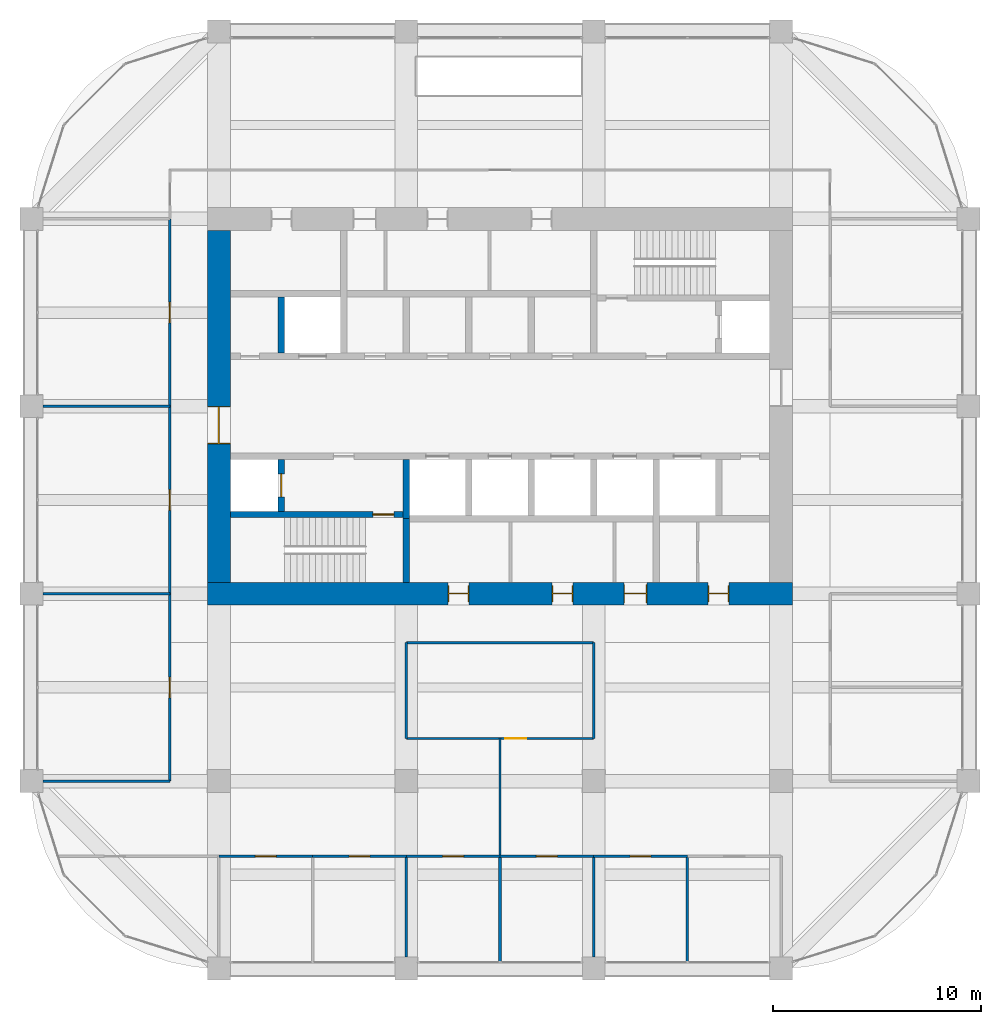
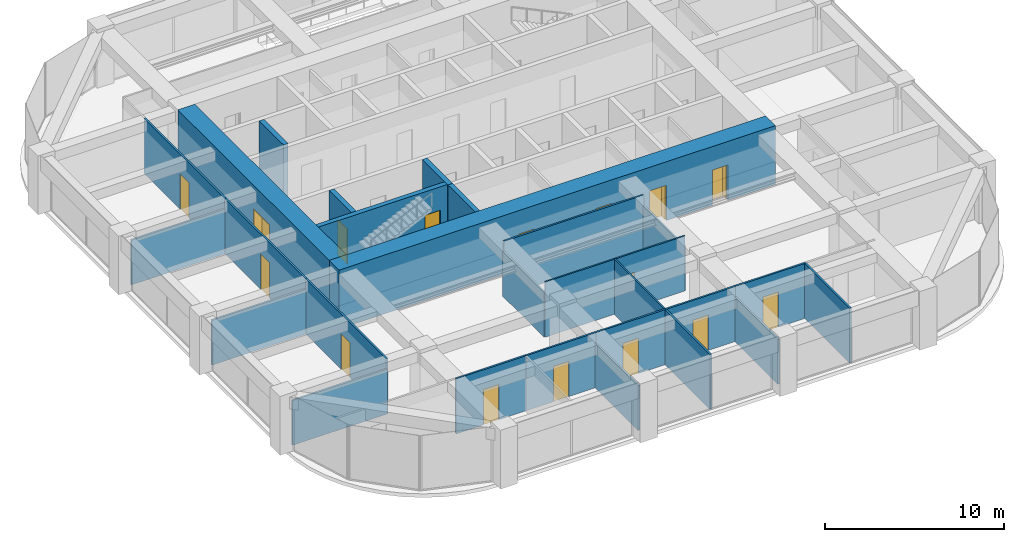
# One storey, part 41 of 44: 27 walls, 16 doors, 16 openings.
"""IFC4 building model written with IfcOpenShell, lengths in metres."""

from ifc_helpers import new_model, si_unit, direction, frame, frame_2d, origin, place, context, subcontext, project, spatial, rectangle, extrude, material, layer, layer_set, type_object, element, fill, save


model = new_model("IFC4")

# Units and contexts
model_context = context("Model", 3, precision=1e-05, world=origin(), true_north=direction((0.0, 1.0)))
body_context = subcontext(model_context, "Body", "Model", "MODEL_VIEW")
ifc_project = project(units=[si_unit("LENGTHUNIT", "METRE"), si_unit("AREAUNIT", "SQUARE_METRE"), si_unit("VOLUMEUNIT", "CUBIC_METRE"), si_unit("PLANEANGLEUNIT", "RADIAN"), si_unit("MASSUNIT", "GRAM", prefix="KILO")], contexts=[model_context])

# Site, building, storey
site_placement = place(None, origin())
site = spatial("IfcSite", under=ifc_project, at=site_placement, CompositionType="ELEMENT")
building_placement = place(site_placement, origin())
building = spatial("IfcBuilding", under=site, at=building_placement, Name="Zorevar Civic Tower", CompositionType="ELEMENT")
storey_placement = place(building_placement, frame((0.0, 0.0, 295.39990234375)))
storey = spatial("IfcBuildingStorey", under=building, at=storey_placement, Name="L72", CompositionType="ELEMENT", Elevation=295.39990234375)

# Wall, openings, doors
ifc_material_1 = material(Name="Concrete C50/60", Category="concrete")
ifc_layer_1 = layer(ifc_material_1, 1.10009765625)
ifc_layer_set_1 = layer_set([ifc_layer_1], Name="Core wall 1100")
wall_type_1 = type_object("IfcWallType", Name="Core wall 1100", PredefinedType="SHEAR", material=ifc_layer_set_1)
wall_1_placement = place(storey_placement, frame((17.449951171875, 18.0, 0.0), z_axis=(0.0, 0.0, 1.0), x_axis=(1.0, 0.0, 0.0)))
wall_1 = element("IfcWall", 1, at=wall_1_placement, inside=storey, type_object=wall_type_1, Name="Core wall S L72", PredefinedType="SHEAR", context=body_context, shape_type="SweptSolid", body=[
    extrude(rectangle(XDim=28.10009765625, YDim=1.10009765625, at=frame_2d((14.050048828125, 0.0))), origin(), (0.0, 0.0, 1.0), 4.0),
])
opening_1_placement = place(wall_1_placement, frame((11.550048828125, 0.0, 0.0)))
opening_1 = element("IfcOpeningElement", 2, at=opening_1_placement, cuts=wall_1, Name="Opening L72.03", PredefinedType="OPENING", context=body_context, shape_type="SweptSolid", body=[
    extrude(rectangle(XDim=1.0, YDim=2.39990234375, at=frame_2d((0.5, 1.199951171875))), frame((0.0, 0.56005859375, 0.0), z_axis=(0.0, -1.0, 0.0), x_axis=(1.0, 0.0, 0.0)), (0.0, 0.0, 1.0), 1.1201171875),
])
opening_2_placement = place(wall_1_placement, frame((16.550048828125, 0.0, 0.0)))
opening_2 = element("IfcOpeningElement", 3, at=opening_2_placement, cuts=wall_1, Name="Opening L72.04", PredefinedType="OPENING", context=body_context, shape_type="SweptSolid", body=[
    extrude(rectangle(XDim=1.0, YDim=2.39990234375, at=frame_2d((0.5, 1.199951171875))), frame((0.0, 0.56005859375, 0.0), z_axis=(0.0, -1.0, 0.0), x_axis=(1.0, 0.0, 0.0)), (0.0, 0.0, 1.0), 1.1201171875),
])
opening_3_placement = place(wall_1_placement, frame((20.0, 0.0, 0.0)))
opening_3 = element("IfcOpeningElement", 4, at=opening_3_placement, cuts=wall_1, Name="Opening L72.05", PredefinedType="OPENING", context=body_context, shape_type="SweptSolid", body=[
    extrude(rectangle(XDim=1.10009765625, YDim=2.39990234375, at=frame_2d((0.550048828125, 1.199951171875))), frame((0.0, 0.56005859375, 0.0), z_axis=(0.0, -1.0, 0.0), x_axis=(1.0, 0.0, 0.0)), (0.0, 0.0, 1.0), 1.1201171875),
])
opening_4_placement = place(wall_1_placement, frame((24.050048828125, 0.0, 0.0)))
opening_4 = element("IfcOpeningElement", 5, at=opening_4_placement, cuts=wall_1, Name="Opening L72.06", PredefinedType="OPENING", context=body_context, shape_type="SweptSolid", body=[
    extrude(rectangle(XDim=1.0, YDim=2.39990234375, at=frame_2d((0.5, 1.199951171875))), frame((0.0, 0.56005859375, 0.0), z_axis=(0.0, -1.0, 0.0), x_axis=(1.0, 0.0, 0.0)), (0.0, 0.0, 1.0), 1.1201171875),
])
ifc_material_2 = material(Name="Timber door set", Category="wood")
door_type_1 = type_object("IfcDoorType", Name="Door D1 1000x2400", OperationType="SINGLE_SWING_LEFT", PredefinedType="DOOR", material=ifc_material_2)
door_1_placement = place(opening_1_placement, origin())
door_1 = element("IfcDoor", 6, at=door_1_placement, inside=storey, type_object=door_type_1, Name="Door L72 02", OperationType="SINGLE_SWING_LEFT", OverallHeight=2.39990234375, OverallWidth=1.0, PredefinedType="DOOR", context=body_context, shape_type="SweptSolid", body=[
    extrude(rectangle(XDim=1.0, YDim=2.39990234375, at=frame_2d((0.5, 1.199951171875))), frame((0.0, 0.02490234375, 0.0), z_axis=(0.0, -1.0, 0.0), x_axis=(1.0, 0.0, 0.0)), (0.0, 0.0, 1.0), 0.050048828125),
    extrude(rectangle(XDim=0.04, YDim=2.39990234375, at=frame_2d((0.02001953125, 1.199951171875))), frame((0.0, 0.39990234375, 0.0), z_axis=(0.0, -1.0, 0.0), x_axis=(1.0, 0.0, 0.0)), (0.0, 0.0, 1.0), 0.800048828125),
    extrude(rectangle(XDim=0.04, YDim=2.39990234375, at=frame_2d((0.97998046875, 1.199951171875))), frame((0.0, 0.39990234375, 0.0), z_axis=(0.0, -1.0, 0.0), x_axis=(1.0, 0.0, 0.0)), (0.0, 0.0, 1.0), 0.800048828125),
    extrude(rectangle(XDim=1.0, YDim=0.04, at=frame_2d((0.5, 2.3798828125))), frame((0.0, 0.39990234375, 0.0), z_axis=(0.0, -1.0, 0.0), x_axis=(1.0, 0.0, 0.0)), (0.0, 0.0, 1.0), 0.800048828125),
])
fill(opening_1, door_1)
door_2_placement = place(opening_2_placement, origin())
door_2 = element("IfcDoor", 7, at=door_2_placement, inside=storey, type_object=door_type_1, Name="Door L72 03", OperationType="SINGLE_SWING_RIGHT", OverallHeight=2.39990234375, OverallWidth=1.0, PredefinedType="DOOR", context=body_context, shape_type="SweptSolid", body=[
    extrude(rectangle(XDim=1.0, YDim=2.39990234375, at=frame_2d((0.5, 1.199951171875))), frame((0.0, 0.02490234375, 0.0), z_axis=(0.0, -1.0, 0.0), x_axis=(1.0, 0.0, 0.0)), (0.0, 0.0, 1.0), 0.050048828125),
    extrude(rectangle(XDim=0.04, YDim=2.39990234375, at=frame_2d((0.02001953125, 1.199951171875))), frame((0.0, 0.39990234375, 0.0), z_axis=(0.0, -1.0, 0.0), x_axis=(1.0, 0.0, 0.0)), (0.0, 0.0, 1.0), 0.800048828125),
    extrude(rectangle(XDim=0.04, YDim=2.39990234375, at=frame_2d((0.97998046875, 1.199951171875))), frame((0.0, 0.39990234375, 0.0), z_axis=(0.0, -1.0, 0.0), x_axis=(1.0, 0.0, 0.0)), (0.0, 0.0, 1.0), 0.800048828125),
    extrude(rectangle(XDim=1.0, YDim=0.04, at=frame_2d((0.5, 2.3798828125))), frame((0.0, 0.39990234375, 0.0), z_axis=(0.0, -1.0, 0.0), x_axis=(1.0, 0.0, 0.0)), (0.0, 0.0, 1.0), 0.800048828125),
])
fill(opening_2, door_2)
door_3_placement = place(opening_4_placement, origin())
door_3 = element("IfcDoor", 8, at=door_3_placement, inside=storey, type_object=door_type_1, Name="Door L72 05", OperationType="SINGLE_SWING_RIGHT", OverallHeight=2.39990234375, OverallWidth=1.0, PredefinedType="DOOR", context=body_context, shape_type="SweptSolid", body=[
    extrude(rectangle(XDim=1.0, YDim=2.39990234375, at=frame_2d((0.5, 1.199951171875))), frame((0.0, 0.02490234375, 0.0), z_axis=(0.0, -1.0, 0.0), x_axis=(1.0, 0.0, 0.0)), (0.0, 0.0, 1.0), 0.050048828125),
    extrude(rectangle(XDim=0.04, YDim=2.39990234375, at=frame_2d((0.02001953125, 1.199951171875))), frame((0.0, 0.39990234375, 0.0), z_axis=(0.0, -1.0, 0.0), x_axis=(1.0, 0.0, 0.0)), (0.0, 0.0, 1.0), 0.800048828125),
    extrude(rectangle(XDim=0.04, YDim=2.39990234375, at=frame_2d((0.97998046875, 1.199951171875))), frame((0.0, 0.39990234375, 0.0), z_axis=(0.0, -1.0, 0.0), x_axis=(1.0, 0.0, 0.0)), (0.0, 0.0, 1.0), 0.800048828125),
    extrude(rectangle(XDim=1.0, YDim=0.04, at=frame_2d((0.5, 2.3798828125))), frame((0.0, 0.39990234375, 0.0), z_axis=(0.0, -1.0, 0.0), x_axis=(1.0, 0.0, 0.0)), (0.0, 0.0, 1.0), 0.800048828125),
])
fill(opening_4, door_3)
ifc_material_3 = material(Name="Timber door set", Category="wood")
door_type_2 = type_object("IfcDoorType", Name="Door D5 1100x2400", OperationType="SINGLE_SWING_LEFT", PredefinedType="DOOR", material=ifc_material_3)
door_4_placement = place(opening_3_placement, origin())
door_4 = element("IfcDoor", 9, at=door_4_placement, inside=storey, type_object=door_type_2, Name="Door L72 04", OperationType="SINGLE_SWING_RIGHT", OverallHeight=2.39990234375, OverallWidth=1.10009765625, PredefinedType="DOOR", context=body_context, shape_type="SweptSolid", body=[
    extrude(rectangle(XDim=1.10009765625, YDim=2.39990234375, at=frame_2d((0.550048828125, 1.199951171875))), frame((0.0, 0.02490234375, 0.0), z_axis=(0.0, -1.0, 0.0), x_axis=(1.0, 0.0, 0.0)), (0.0, 0.0, 1.0), 0.050048828125),
    extrude(rectangle(XDim=0.04, YDim=2.39990234375, at=frame_2d((0.02001953125, 1.199951171875))), frame((0.0, 0.43994140625, 0.0), z_axis=(0.0, -1.0, 0.0), x_axis=(1.0, 0.0, 0.0)), (0.0, 0.0, 1.0), 0.880126953125),
    extrude(rectangle(XDim=0.04, YDim=2.39990234375, at=frame_2d((1.080078125, 1.199951171875))), frame((0.0, 0.43994140625, 0.0), z_axis=(0.0, -1.0, 0.0), x_axis=(1.0, 0.0, 0.0)), (0.0, 0.0, 1.0), 0.880126953125),
    extrude(rectangle(XDim=1.10009765625, YDim=0.04, at=frame_2d((0.550048828125, 2.3798828125))), frame((0.0, 0.43994140625, 0.0), z_axis=(0.0, -1.0, 0.0), x_axis=(1.0, 0.0, 0.0)), (0.0, 0.0, 1.0), 0.880126953125),
])
fill(opening_3, door_4)

# Wall, opening, door
wall_2_placement = place(storey_placement, frame((18.0, 35.449951171875, 0.0), z_axis=(0.0, 0.0, 1.0), x_axis=(0.0, -1.0, 0.0)))
wall_2 = element("IfcWall", 10, at=wall_2_placement, inside=storey, type_object=wall_type_1, Name="Core wall W L72", PredefinedType="SHEAR", context=body_context, shape_type="SweptSolid", body=[
    extrude(rectangle(XDim=16.89990234375, YDim=1.10009765625, at=frame_2d((8.449951171875, 0.0))), origin(), (0.0, 0.0, 1.0), 4.0),
])
opening_5_placement = place(wall_2_placement, frame((8.449951171875, 0.0, 0.0)))
opening_5 = element("IfcOpeningElement", 11, at=opening_5_placement, cuts=wall_2, Name="Opening L72.01", PredefinedType="OPENING", context=body_context, shape_type="SweptSolid", body=[
    extrude(rectangle(XDim=1.800048828125, YDim=2.39990234375, at=frame_2d((0.89990234375, 1.199951171875))), frame((0.0, 0.56005859375, 0.0), z_axis=(0.0, -1.0, 0.0), x_axis=(1.0, 0.0, 0.0)), (0.0, 0.0, 1.0), 1.1201171875),
])
ifc_material_4 = material(Name="Steel door set", Category="steel")
door_type_3 = type_object("IfcDoorType", Name="Fire door FD2 1800x2400", OperationType="DOUBLE_DOOR_DOUBLE_SWING", PredefinedType="DOOR", material=ifc_material_4)
door_5_placement = place(opening_5_placement, origin())
door_5 = element("IfcDoor", 12, at=door_5_placement, inside=storey, type_object=door_type_3, Name="Door L72 00", OperationType="DOUBLE_DOOR_DOUBLE_SWING", OverallHeight=2.39990234375, OverallWidth=1.800048828125, PredefinedType="DOOR", context=body_context, shape_type="SweptSolid", body=[
    extrude(rectangle(XDim=1.800048828125, YDim=2.39990234375, at=frame_2d((0.89990234375, 1.199951171875))), frame((0.0, 0.030029296875, 0.0), z_axis=(0.0, -1.0, 0.0), x_axis=(1.0, 0.0, 0.0)), (0.0, 0.0, 1.0), 0.06005859375),
    extrude(rectangle(XDim=0.04, YDim=2.39990234375, at=frame_2d((0.02001953125, 1.199951171875))), frame((0.0, 0.5498046875, 0.0), z_axis=(0.0, -1.0, 0.0), x_axis=(1.0, 0.0, 0.0)), (0.0, 0.0, 1.0), 1.099609375),
    extrude(rectangle(XDim=0.04, YDim=2.39990234375, at=frame_2d((1.780029296875, 1.199951171875))), frame((0.0, 0.5498046875, 0.0), z_axis=(0.0, -1.0, 0.0), x_axis=(1.0, 0.0, 0.0)), (0.0, 0.0, 1.0), 1.099609375),
    extrude(rectangle(XDim=1.800048828125, YDim=0.04, at=frame_2d((0.89990234375, 2.3798828125))), frame((0.0, 0.5498046875, 0.0), z_axis=(0.0, -1.0, 0.0), x_axis=(1.0, 0.0, 0.0)), (0.0, 0.0, 1.0), 1.099609375),
])
fill(opening_5, door_5)

ifc_material_5 = material(Name="Laminated glass in black aluminium frame", Category="aluminium")
ifc_layer_2 = layer(ifc_material_5, 0.10009765625)
ifc_layer_set_2 = layer_set([ifc_layer_2], Name="Glazed partition 100")
wall_type_2 = type_object("IfcWallType", Name="Glazed partition 100", PredefinedType="PARTITIONING", material=ifc_layer_set_2)
wall_3_placement = place(storey_placement, frame((27.0, 11.050048828125, 0.0), z_axis=(0.0, 0.0, 1.0), x_axis=(1.0, 0.0, 0.0)))
wall_3 = element("IfcWall", 13, at=wall_3_placement, inside=storey, type_object=wall_type_2, Name="Glazed partition 100 L72", PredefinedType="PARTITIONING", context=body_context, shape_type="SweptSolid", body=[
    extrude(rectangle(XDim=9.0, YDim=0.10009765625, at=frame_2d((4.5, 0.0))), origin(), (0.0, 0.0, 1.0), 3.75),
])
opening_6_placement = place(wall_3_placement, frame((4.75, 0.0, 0.0)))
opening_6 = element("IfcOpeningElement", 14, at=opening_6_placement, cuts=wall_3, Name="Opening L72.24", PredefinedType="OPENING", context=body_context, shape_type="SweptSolid", body=[
    extrude(rectangle(XDim=1.0, YDim=2.39990234375, at=frame_2d((0.5, 1.199951171875))), frame((0.0, 0.06005859375, 0.0), z_axis=(0.0, -1.0, 0.0), x_axis=(1.0, 0.0, 0.0)), (0.0, 0.0, 1.0), 0.1201171875),
])
ifc_material_6 = material(Name="Timber door set", Category="wood")
door_type_4 = type_object("IfcDoorType", Name="Glazed door GD1 1000x2400", OperationType="SINGLE_SWING_LEFT", PredefinedType="DOOR", material=ifc_material_6)
door_6_placement = place(opening_6_placement, origin())
door_6 = element("IfcDoor", 15, at=door_6_placement, inside=storey, type_object=door_type_4, Name="Door L72 D1", OperationType="SINGLE_SWING_RIGHT", OverallHeight=2.39990234375, OverallWidth=1.0, PredefinedType="DOOR", context=body_context, shape_type="SweptSolid", body=[
    extrude(rectangle(XDim=1.0, YDim=2.39990234375, at=frame_2d((0.5, 1.199951171875))), frame((0.0, 0.02001953125, 0.0), z_axis=(0.0, -1.0, 0.0), x_axis=(1.0, 0.0, 0.0)), (0.0, 0.0, 1.0), 0.0400390625),
])
fill(opening_6, door_6)

# Wall
wall_4_placement = place(storey_placement, frame((31.5, 5.39990234375, 0.0), z_axis=(0.0, 0.0, 1.0), x_axis=(0.0, 1.0, 0.0)))
element("IfcWall", 16, at=wall_4_placement, inside=storey, type_object=wall_type_2, Name="Glazed partition 100 L72", PredefinedType="PARTITIONING", context=body_context, shape_type="SweptSolid", body=[
    extrude(rectangle(XDim=5.66015625, YDim=0.10009765625, at=frame_2d((2.830078125, 0.0))), origin(), (0.0, 0.0, 1.0), 3.75),
])

# Wall, opening, door
ifc_material_7 = material(Name="Concrete C40/50", Category="concrete")
ifc_layer_3 = layer(ifc_material_7, 0.300048828125)
ifc_layer_set_3 = layer_set([ifc_layer_3], Name="Inner core wall 300")
wall_type_3 = type_object("IfcWallType", Name="Inner core wall 300", PredefinedType="SHEAR", material=ifc_layer_set_3)
wall_5_placement = place(storey_placement, frame((18.550048828125, 21.800048828125, 0.0), z_axis=(0.0, 0.0, 1.0), x_axis=(1.0, 0.0, 0.0)))
wall_5 = element("IfcWall", 17, at=wall_5_placement, inside=storey, type_object=wall_type_3, Name="Inner core wall S00 L72", PredefinedType="SHEAR", context=body_context, shape_type="SweptSolid", body=[
    extrude(rectangle(XDim=8.300048828125, YDim=0.300048828125, at=frame_2d((4.14990234375, 0.0))), origin(), (0.0, 0.0, 1.0), 4.0),
])
opening_7_placement = place(wall_5_placement, frame((6.85009765625, 0.0, 0.0)))
opening_7 = element("IfcOpeningElement", 18, at=opening_7_placement, cuts=wall_5, Name="Opening L72.11", PredefinedType="OPENING", context=body_context, shape_type="SweptSolid", body=[
    extrude(rectangle(XDim=1.0, YDim=2.39990234375, at=frame_2d((0.5, 1.199951171875))), frame((0.0, 0.159912109375, 0.0), z_axis=(0.0, -1.0, 0.0), x_axis=(1.0, 0.0, 0.0)), (0.0, 0.0, 1.0), 0.320068359375),
])
ifc_material_8 = material(Name="Steel door set", Category="steel")
door_type_5 = type_object("IfcDoorType", Name="Fire door FD1 1000x2400", OperationType="SINGLE_SWING_LEFT", PredefinedType="DOOR", material=ifc_material_8)
door_7_placement = place(opening_7_placement, origin())
door_7 = element("IfcDoor", 19, at=door_7_placement, inside=storey, type_object=door_type_5, Name="Door L72 10", OperationType="SINGLE_SWING_RIGHT", OverallHeight=2.39990234375, OverallWidth=1.0, PredefinedType="DOOR", context=body_context, shape_type="SweptSolid", body=[
    extrude(rectangle(XDim=1.0, YDim=2.39990234375, at=frame_2d((0.5, 1.199951171875))), frame((0.0, 0.030029296875, 0.0), z_axis=(0.0, -1.0, 0.0), x_axis=(1.0, 0.0, 0.0)), (0.0, 0.0, 1.0), 0.06005859375),
])
fill(opening_7, door_7)

# Wall
wall_6_placement = place(storey_placement, frame((27.0, 18.550048828125, 0.0), z_axis=(0.0, 0.0, 1.0), x_axis=(0.0, 1.0, 0.0)))
element("IfcWall", 20, at=wall_6_placement, inside=storey, type_object=wall_type_3, Name="Inner core wall S01 L72", PredefinedType="SHEAR", context=body_context, shape_type="SweptSolid", body=[
    extrude(rectangle(XDim=3.050048828125, YDim=0.300048828125, at=frame_2d((1.52490234375, 0.0))), origin(), (0.0, 0.0, 1.0), 4.0),
])

# Wall, opening, door
wall_7_placement = place(storey_placement, frame((21.0, 21.949951171875, 0.0), z_axis=(0.0, 0.0, 1.0), x_axis=(0.0, 1.0, 0.0)))
wall_7 = element("IfcWall", 21, at=wall_7_placement, inside=storey, type_object=wall_type_3, Name="Inner core wall S02 L72", PredefinedType="SHEAR", context=body_context, shape_type="SweptSolid", body=[
    extrude(rectangle(XDim=2.5, YDim=0.300048828125, at=frame_2d((1.25, 0.0))), origin(), (0.0, 0.0, 1.0), 4.0),
])
opening_8_placement = place(wall_7_placement, frame((0.699951171875, 0.0, 0.0)))
opening_8 = element("IfcOpeningElement", 22, at=opening_8_placement, cuts=wall_7, Name="Opening L72.FL1", PredefinedType="OPENING", context=body_context, shape_type="SweptSolid", body=[
    extrude(rectangle(XDim=1.10009765625, YDim=2.39990234375, at=frame_2d((0.550048828125, 1.199951171875))), frame((0.0, 0.159912109375, 0.0), z_axis=(0.0, -1.0, 0.0), x_axis=(1.0, 0.0, 0.0)), (0.0, 0.0, 1.0), 0.320068359375),
])
ifc_material_9 = material(Name="Steel door set", Category="steel")
door_type_6 = type_object("IfcDoorType", Name="Firefighting lift landing door LD3 1100x2400", OperationType="DOUBLE_DOOR_SLIDING", PredefinedType="DOOR", material=ifc_material_9)
door_8_placement = place(opening_8_placement, origin())
door_8 = element("IfcDoor", 23, at=door_8_placement, inside=storey, type_object=door_type_6, Name="Landing door FL1 L72", OperationType="DOUBLE_DOOR_SLIDING", OverallHeight=2.39990234375, OverallWidth=1.10009765625, PredefinedType="DOOR", context=body_context, shape_type="SweptSolid", body=[
    extrude(rectangle(XDim=1.10009765625, YDim=2.39990234375, at=frame_2d((0.550048828125, 1.199951171875))), frame((0.0, 0.030029296875, 0.0), z_axis=(0.0, -1.0, 0.0), x_axis=(1.0, 0.0, 0.0)), (0.0, 0.0, 1.0), 0.06005859375),
])
fill(opening_8, door_8)

# Walls
wall_8_placement = place(storey_placement, frame((21.0, 29.550048828125, 0.0), z_axis=(0.0, 0.0, 1.0), x_axis=(0.0, 1.0, 0.0)))
element("IfcWall", 24, at=wall_8_placement, inside=storey, type_object=wall_type_3, Name="Inner core wall N09 L72", PredefinedType="SHEAR", context=body_context, shape_type="SweptSolid", body=[
    extrude(rectangle(XDim=2.699951171875, YDim=0.300048828125, at=frame_2d((1.35009765625, 0.0))), origin(), (0.0, 0.0, 1.0), 4.0),
])
wall_9_placement = place(storey_placement, frame((27.0, 21.60009765625, 0.0), z_axis=(0.0, 0.0, 1.0), x_axis=(0.0, 1.0, 0.0)))
element("IfcWall", 25, at=wall_9_placement, inside=storey, type_object=wall_type_3, Name="Inner core wall S10 L72", PredefinedType="SHEAR", context=body_context, shape_type="SweptSolid", body=[
    extrude(rectangle(XDim=2.849853515625, YDim=0.300048828125, at=frame_2d((1.4248046875, 0.0))), origin(), (0.0, 0.0, 1.0), 4.0),
])

# Wall, opening, door
ifc_material_10 = material(Name="Gypsum board on steel studs", Category="steel")
ifc_layer_4 = layer(ifc_material_10, 0.1201171875)
ifc_layer_set_4 = layer_set([ifc_layer_4], Name="Partition 120")
wall_type_4 = type_object("IfcWallType", Name="Partition 120", PredefinedType="PARTITIONING", material=ifc_layer_set_4)
wall_10_placement = place(storey_placement, frame((18.0, 5.39990234375, 0.0), z_axis=(0.0, 0.0, 1.0), x_axis=(1.0, 0.0, 0.0)))
wall_10 = element("IfcWall", 26, at=wall_10_placement, inside=storey, type_object=wall_type_4, Name="Partition 120 L72", PredefinedType="PARTITIONING", context=body_context, shape_type="SweptSolid", body=[
    extrude(rectangle(XDim=4.5, YDim=0.1201171875, at=frame_2d((2.25, 0.0))), origin(), (0.0, 0.0, 1.0), 3.75),
])
opening_9_placement = place(wall_10_placement, frame((1.75, 0.0, 0.0)))
opening_9 = element("IfcOpeningElement", 27, at=opening_9_placement, cuts=wall_10, Name="Opening L72.17", PredefinedType="OPENING", context=body_context, shape_type="SweptSolid", body=[
    extrude(rectangle(XDim=1.0, YDim=2.39990234375, at=frame_2d((0.5, 1.199951171875))), frame((0.0, 0.070068359375, 0.0), z_axis=(0.0, -1.0, 0.0), x_axis=(1.0, 0.0, 0.0)), (0.0, 0.0, 1.0), 0.14013671875),
])
door_9_placement = place(opening_9_placement, origin())
door_9 = element("IfcDoor", 28, at=door_9_placement, inside=storey, type_object=door_type_1, Name="Door L72 D1", OperationType="SINGLE_SWING_RIGHT", OverallHeight=2.39990234375, OverallWidth=1.0, PredefinedType="DOOR", context=body_context, shape_type="SweptSolid", body=[
    extrude(rectangle(XDim=1.0, YDim=2.39990234375, at=frame_2d((0.5, 1.199951171875))), frame((0.0, 0.02490234375, 0.0), z_axis=(0.0, -1.0, 0.0), x_axis=(1.0, 0.0, 0.0)), (0.0, 0.0, 1.0), 0.050048828125),
])
fill(opening_9, door_9)

wall_11_placement = place(storey_placement, frame((22.5, 5.39990234375, 0.0), z_axis=(0.0, 0.0, 1.0), x_axis=(1.0, 0.0, 0.0)))
wall_11 = element("IfcWall", 29, at=wall_11_placement, inside=storey, type_object=wall_type_4, Name="Partition 120 L72", PredefinedType="PARTITIONING", context=body_context, shape_type="SweptSolid", body=[
    extrude(rectangle(XDim=4.5, YDim=0.1201171875, at=frame_2d((2.25, 0.0))), origin(), (0.0, 0.0, 1.0), 3.75),
])
opening_10_placement = place(wall_11_placement, frame((1.75, 0.0, 0.0)))
opening_10 = element("IfcOpeningElement", 30, at=opening_10_placement, cuts=wall_11, Name="Opening L72.18", PredefinedType="OPENING", context=body_context, shape_type="SweptSolid", body=[
    extrude(rectangle(XDim=1.0, YDim=2.39990234375, at=frame_2d((0.5, 1.199951171875))), frame((0.0, 0.070068359375, 0.0), z_axis=(0.0, -1.0, 0.0), x_axis=(1.0, 0.0, 0.0)), (0.0, 0.0, 1.0), 0.14013671875),
])
door_10_placement = place(opening_10_placement, origin())
door_10 = element("IfcDoor", 31, at=door_10_placement, inside=storey, type_object=door_type_1, Name="Door L72 D1", OperationType="SINGLE_SWING_LEFT", OverallHeight=2.39990234375, OverallWidth=1.0, PredefinedType="DOOR", context=body_context, shape_type="SweptSolid", body=[
    extrude(rectangle(XDim=1.0, YDim=2.39990234375, at=frame_2d((0.5, 1.199951171875))), frame((0.0, 0.02490234375, 0.0), z_axis=(0.0, -1.0, 0.0), x_axis=(1.0, 0.0, 0.0)), (0.0, 0.0, 1.0), 0.050048828125),
])
fill(opening_10, door_10)

wall_12_placement = place(storey_placement, frame((27.0, 5.39990234375, 0.0), z_axis=(0.0, 0.0, 1.0), x_axis=(1.0, 0.0, 0.0)))
wall_12 = element("IfcWall", 32, at=wall_12_placement, inside=storey, type_object=wall_type_4, Name="Partition 120 L72", PredefinedType="PARTITIONING", context=body_context, shape_type="SweptSolid", body=[
    extrude(rectangle(XDim=4.5, YDim=0.1201171875, at=frame_2d((2.25, 0.0))), origin(), (0.0, 0.0, 1.0), 3.75),
])
opening_11_placement = place(wall_12_placement, frame((1.75, 0.0, 0.0)))
opening_11 = element("IfcOpeningElement", 33, at=opening_11_placement, cuts=wall_12, Name="Opening L72.19", PredefinedType="OPENING", context=body_context, shape_type="SweptSolid", body=[
    extrude(rectangle(XDim=1.0, YDim=2.39990234375, at=frame_2d((0.5, 1.199951171875))), frame((0.0, 0.070068359375, 0.0), z_axis=(0.0, -1.0, 0.0), x_axis=(1.0, 0.0, 0.0)), (0.0, 0.0, 1.0), 0.14013671875),
])
door_11_placement = place(opening_11_placement, origin())
door_11 = element("IfcDoor", 34, at=door_11_placement, inside=storey, type_object=door_type_1, Name="Door L72 D1", OperationType="SINGLE_SWING_LEFT", OverallHeight=2.39990234375, OverallWidth=1.0, PredefinedType="DOOR", context=body_context, shape_type="SweptSolid", body=[
    extrude(rectangle(XDim=1.0, YDim=2.39990234375, at=frame_2d((0.5, 1.199951171875))), frame((0.0, 0.02490234375, 0.0), z_axis=(0.0, -1.0, 0.0), x_axis=(1.0, 0.0, 0.0)), (0.0, 0.0, 1.0), 0.050048828125),
])
fill(opening_11, door_11)

wall_13_placement = place(storey_placement, frame((31.5, 5.39990234375, 0.0), z_axis=(0.0, 0.0, 1.0), x_axis=(1.0, 0.0, 0.0)))
wall_13 = element("IfcWall", 35, at=wall_13_placement, inside=storey, type_object=wall_type_4, Name="Partition 120 L72", PredefinedType="PARTITIONING", context=body_context, shape_type="SweptSolid", body=[
    extrude(rectangle(XDim=4.5, YDim=0.1201171875, at=frame_2d((2.25, 0.0))), origin(), (0.0, 0.0, 1.0), 3.75),
])
opening_12_placement = place(wall_13_placement, frame((1.75, 0.0, 0.0)))
opening_12 = element("IfcOpeningElement", 36, at=opening_12_placement, cuts=wall_13, Name="Opening L72.20", PredefinedType="OPENING", context=body_context, shape_type="SweptSolid", body=[
    extrude(rectangle(XDim=1.0, YDim=2.39990234375, at=frame_2d((0.5, 1.199951171875))), frame((0.0, 0.070068359375, 0.0), z_axis=(0.0, -1.0, 0.0), x_axis=(1.0, 0.0, 0.0)), (0.0, 0.0, 1.0), 0.14013671875),
])
door_12_placement = place(opening_12_placement, origin())
door_12 = element("IfcDoor", 37, at=door_12_placement, inside=storey, type_object=door_type_1, Name="Door L72 D1", OperationType="SINGLE_SWING_RIGHT", OverallHeight=2.39990234375, OverallWidth=1.0, PredefinedType="DOOR", context=body_context, shape_type="SweptSolid", body=[
    extrude(rectangle(XDim=1.0, YDim=2.39990234375, at=frame_2d((0.5, 1.199951171875))), frame((0.0, 0.02490234375, 0.0), z_axis=(0.0, -1.0, 0.0), x_axis=(1.0, 0.0, 0.0)), (0.0, 0.0, 1.0), 0.050048828125),
])
fill(opening_12, door_12)

wall_14_placement = place(storey_placement, frame((36.0, 5.39990234375, 0.0), z_axis=(0.0, 0.0, 1.0), x_axis=(1.0, 0.0, 0.0)))
wall_14 = element("IfcWall", 38, at=wall_14_placement, inside=storey, type_object=wall_type_4, Name="Partition 120 L72", PredefinedType="PARTITIONING", context=body_context, shape_type="SweptSolid", body=[
    extrude(rectangle(XDim=4.5, YDim=0.1201171875, at=frame_2d((2.25, 0.0))), origin(), (0.0, 0.0, 1.0), 3.75),
])
opening_13_placement = place(wall_14_placement, frame((1.75, 0.0, 0.0)))
opening_13 = element("IfcOpeningElement", 39, at=opening_13_placement, cuts=wall_14, Name="Opening L72.21", PredefinedType="OPENING", context=body_context, shape_type="SweptSolid", body=[
    extrude(rectangle(XDim=1.0, YDim=2.39990234375, at=frame_2d((0.5, 1.199951171875))), frame((0.0, 0.070068359375, 0.0), z_axis=(0.0, -1.0, 0.0), x_axis=(1.0, 0.0, 0.0)), (0.0, 0.0, 1.0), 0.14013671875),
])
door_13_placement = place(opening_13_placement, origin())
door_13 = element("IfcDoor", 40, at=door_13_placement, inside=storey, type_object=door_type_1, Name="Door L72 D1", OperationType="SINGLE_SWING_RIGHT", OverallHeight=2.39990234375, OverallWidth=1.0, PredefinedType="DOOR", context=body_context, shape_type="SweptSolid", body=[
    extrude(rectangle(XDim=1.0, YDim=2.39990234375, at=frame_2d((0.5, 1.199951171875))), frame((0.0, 0.02490234375, 0.0), z_axis=(0.0, -1.0, 0.0), x_axis=(1.0, 0.0, 0.0)), (0.0, 0.0, 1.0), 0.050048828125),
])
fill(opening_13, door_13)

# Walls
wall_15_placement = place(storey_placement, frame((9.550048828125, 9.0, 0.0), z_axis=(0.0, 0.0, 1.0), x_axis=(1.0, 0.0, 0.0)))
element("IfcWall", 41, at=wall_15_placement, inside=storey, type_object=wall_type_4, Name="Partition 120 L72", PredefinedType="PARTITIONING", context=body_context, shape_type="SweptSolid", body=[
    extrude(rectangle(XDim=6.099853515625, YDim=0.1201171875, at=frame_2d((3.0498046875, 0.0))), origin(), (0.0, 0.0, 1.0), 3.050048828125),
])
wall_16_placement = place(storey_placement, frame((27.0, 15.64990234375, 0.0), z_axis=(0.0, 0.0, 1.0), x_axis=(1.0, 0.0, 0.0)))
element("IfcWall", 42, at=wall_16_placement, inside=storey, type_object=wall_type_4, Name="Partition 120 L72", PredefinedType="PARTITIONING", context=body_context, shape_type="SweptSolid", body=[
    extrude(rectangle(XDim=9.0, YDim=0.1201171875, at=frame_2d((4.5, 0.0))), origin(), (0.0, 0.0, 1.0), 3.75),
])
for number, where, z_axis, x_axis, name in (
    (43, (9.550048828125, 18.0, 0.0), (0.0, 0.0, 1.0), (1.0, 0.0, 0.0), "Partition 120 L72"),
    (44, (9.550048828125, 27.0, 0.0), (0.0, 0.0, 1.0), (1.0, 0.0, 0.0), "Partition 120 L72"),
):
    element("IfcWall", number, at=place(storey_placement, frame(where, z_axis=z_axis, x_axis=x_axis)), inside=storey, type_object=wall_type_4, Name=name, PredefinedType="PARTITIONING", context=body_context, shape_type="SweptSolid", body=[
        extrude(rectangle(XDim=6.099853515625, YDim=0.1201171875, at=frame_2d((3.0498046875, 0.0))), origin(), (0.0, 0.0, 1.0), 3.050048828125),
    ])

# Wall, opening, door
wall_17_placement = place(storey_placement, frame((15.64990234375, 9.0, 0.0), z_axis=(0.0, 0.0, 1.0), x_axis=(0.0, 1.0, 0.0)))
wall_17 = element("IfcWall", 45, at=wall_17_placement, inside=storey, type_object=wall_type_4, Name="Partition 120 L72", PredefinedType="PARTITIONING", context=body_context, shape_type="SweptSolid", body=[
    extrude(rectangle(XDim=9.0, YDim=0.1201171875, at=frame_2d((4.5, 0.0))), origin(), (0.0, 0.0, 1.0), 3.75),
])
opening_14_placement = place(wall_17_placement, frame((4.0, 0.0, 0.0)))
opening_14 = element("IfcOpeningElement", 46, at=opening_14_placement, cuts=wall_17, Name="Opening L72.26", PredefinedType="OPENING", context=body_context, shape_type="SweptSolid", body=[
    extrude(rectangle(XDim=1.0, YDim=2.39990234375, at=frame_2d((0.5, 1.199951171875))), frame((0.0, 0.070068359375, 0.0), z_axis=(0.0, -1.0, 0.0), x_axis=(1.0, 0.0, 0.0)), (0.0, 0.0, 1.0), 0.14013671875),
])
door_14_placement = place(opening_14_placement, origin())
door_14 = element("IfcDoor", 47, at=door_14_placement, inside=storey, type_object=door_type_1, Name="Door L72 D1", OperationType="SINGLE_SWING_RIGHT", OverallHeight=2.39990234375, OverallWidth=1.0, PredefinedType="DOOR", context=body_context, shape_type="SweptSolid", body=[
    extrude(rectangle(XDim=1.0, YDim=2.39990234375, at=frame_2d((0.5, 1.199951171875))), frame((0.0, 0.02490234375, 0.0), z_axis=(0.0, -1.0, 0.0), x_axis=(1.0, 0.0, 0.0)), (0.0, 0.0, 1.0), 0.050048828125),
])
fill(opening_14, door_14)

wall_18_placement = place(storey_placement, frame((15.64990234375, 18.0, 0.0), z_axis=(0.0, 0.0, 1.0), x_axis=(0.0, 1.0, 0.0)))
wall_18 = element("IfcWall", 48, at=wall_18_placement, inside=storey, type_object=wall_type_4, Name="Partition 120 L72", PredefinedType="PARTITIONING", context=body_context, shape_type="SweptSolid", body=[
    extrude(rectangle(XDim=9.0, YDim=0.1201171875, at=frame_2d((4.5, 0.0))), origin(), (0.0, 0.0, 1.0), 3.75),
])
opening_15_placement = place(wall_18_placement, frame((4.0, 0.0, 0.0)))
opening_15 = element("IfcOpeningElement", 49, at=opening_15_placement, cuts=wall_18, Name="Opening L72.27", PredefinedType="OPENING", context=body_context, shape_type="SweptSolid", body=[
    extrude(rectangle(XDim=1.0, YDim=2.39990234375, at=frame_2d((0.5, 1.199951171875))), frame((0.0, 0.070068359375, 0.0), z_axis=(0.0, -1.0, 0.0), x_axis=(1.0, 0.0, 0.0)), (0.0, 0.0, 1.0), 0.14013671875),
])
door_15_placement = place(opening_15_placement, origin())
door_15 = element("IfcDoor", 50, at=door_15_placement, inside=storey, type_object=door_type_1, Name="Door L72 D1", OperationType="SINGLE_SWING_LEFT", OverallHeight=2.39990234375, OverallWidth=1.0, PredefinedType="DOOR", context=body_context, shape_type="SweptSolid", body=[
    extrude(rectangle(XDim=1.0, YDim=2.39990234375, at=frame_2d((0.5, 1.199951171875))), frame((0.0, 0.02490234375, 0.0), z_axis=(0.0, -1.0, 0.0), x_axis=(1.0, 0.0, 0.0)), (0.0, 0.0, 1.0), 0.050048828125),
])
fill(opening_15, door_15)

wall_19_placement = place(storey_placement, frame((15.64990234375, 27.0, 0.0), z_axis=(0.0, 0.0, 1.0), x_axis=(0.0, 1.0, 0.0)))
wall_19 = element("IfcWall", 51, at=wall_19_placement, inside=storey, type_object=wall_type_4, Name="Partition 120 L72", PredefinedType="PARTITIONING", context=body_context, shape_type="SweptSolid", body=[
    extrude(rectangle(XDim=9.0, YDim=0.1201171875, at=frame_2d((4.5, 0.0))), origin(), (0.0, 0.0, 1.0), 3.75),
])
opening_16_placement = place(wall_19_placement, frame((4.0, 0.0, 0.0)))
opening_16 = element("IfcOpeningElement", 52, at=opening_16_placement, cuts=wall_19, Name="Opening L72.28", PredefinedType="OPENING", context=body_context, shape_type="SweptSolid", body=[
    extrude(rectangle(XDim=1.0, YDim=2.39990234375, at=frame_2d((0.5, 1.199951171875))), frame((0.0, 0.070068359375, 0.0), z_axis=(0.0, -1.0, 0.0), x_axis=(1.0, 0.0, 0.0)), (0.0, 0.0, 1.0), 0.14013671875),
])
door_16_placement = place(opening_16_placement, origin())
door_16 = element("IfcDoor", 53, at=door_16_placement, inside=storey, type_object=door_type_1, Name="Door L72 D1", OperationType="SINGLE_SWING_RIGHT", OverallHeight=2.39990234375, OverallWidth=1.0, PredefinedType="DOOR", context=body_context, shape_type="SweptSolid", body=[
    extrude(rectangle(XDim=1.0, YDim=2.39990234375, at=frame_2d((0.5, 1.199951171875))), frame((0.0, 0.02490234375, 0.0), z_axis=(0.0, -1.0, 0.0), x_axis=(1.0, 0.0, 0.0)), (0.0, 0.0, 1.0), 0.050048828125),
])
fill(opening_16, door_16)

# Walls
wall_20_placement = place(storey_placement, frame((27.0, 0.550048828125, 0.0), z_axis=(0.0, 0.0, 1.0), x_axis=(0.0, 1.0, 0.0)))
element("IfcWall", 54, at=wall_20_placement, inside=storey, type_object=wall_type_4, Name="Partition 120 L72", PredefinedType="PARTITIONING", context=body_context, shape_type="SweptSolid", body=[
    extrude(rectangle(XDim=4.849853515625, YDim=0.1201171875, at=frame_2d((2.4248046875, 0.0))), origin(), (0.0, 0.0, 1.0), 3.050048828125),
])
wall_21_placement = place(storey_placement, frame((27.0, 11.050048828125, 0.0), z_axis=(0.0, 0.0, 1.0), x_axis=(0.0, 1.0, 0.0)))
element("IfcWall", 55, at=wall_21_placement, inside=storey, type_object=wall_type_4, Name="Partition 120 L72", PredefinedType="PARTITIONING", context=body_context, shape_type="SweptSolid", body=[
    extrude(rectangle(XDim=4.599853515625, YDim=0.1201171875, at=frame_2d((2.2998046875, 0.0))), origin(), (0.0, 0.0, 1.0), 3.050048828125),
])
wall_22_placement = place(storey_placement, frame((31.5, 0.31005859375, 0.0), z_axis=(0.0, 0.0, 1.0), x_axis=(0.0, 1.0, 0.0)))
element("IfcWall", 56, at=wall_22_placement, inside=storey, type_object=wall_type_4, Name="Partition 120 L72", PredefinedType="PARTITIONING", context=body_context, shape_type="SweptSolid", body=[
    extrude(rectangle(XDim=5.08984375, YDim=0.1201171875, at=frame_2d((2.544921875, 0.0))), origin(), (0.0, 0.0, 1.0), 3.75),
])
wall_23_placement = place(storey_placement, frame((36.0, 0.550048828125, 0.0), z_axis=(0.0, 0.0, 1.0), x_axis=(0.0, 1.0, 0.0)))
element("IfcWall", 57, at=wall_23_placement, inside=storey, type_object=wall_type_4, Name="Partition 120 L72", PredefinedType="PARTITIONING", context=body_context, shape_type="SweptSolid", body=[
    extrude(rectangle(XDim=4.849853515625, YDim=0.1201171875, at=frame_2d((2.4248046875, 0.0))), origin(), (0.0, 0.0, 1.0), 3.050048828125),
])
wall_24_placement = place(storey_placement, frame((36.0, 11.050048828125, 0.0), z_axis=(0.0, 0.0, 1.0), x_axis=(0.0, 1.0, 0.0)))
element("IfcWall", 58, at=wall_24_placement, inside=storey, type_object=wall_type_4, Name="Partition 120 L72", PredefinedType="PARTITIONING", context=body_context, shape_type="SweptSolid", body=[
    extrude(rectangle(XDim=4.599853515625, YDim=0.1201171875, at=frame_2d((2.2998046875, 0.0))), origin(), (0.0, 0.0, 1.0), 3.050048828125),
])
wall_25_placement = place(storey_placement, frame((40.5, 0.31005859375, 0.0), z_axis=(0.0, 0.0, 1.0), x_axis=(0.0, 1.0, 0.0)))
element("IfcWall", 59, at=wall_25_placement, inside=storey, type_object=wall_type_4, Name="Partition 120 L72", PredefinedType="PARTITIONING", context=body_context, shape_type="SweptSolid", body=[
    extrude(rectangle(XDim=5.08984375, YDim=0.1201171875, at=frame_2d((2.544921875, 0.0))), origin(), (0.0, 0.0, 1.0), 3.75),
])

save(model, "model.ifc")
